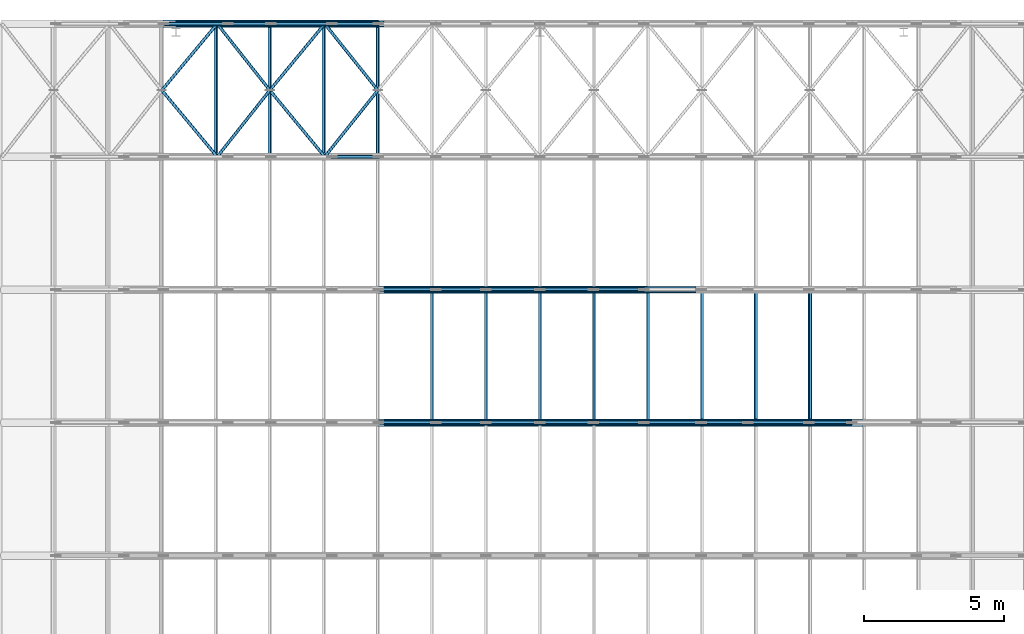
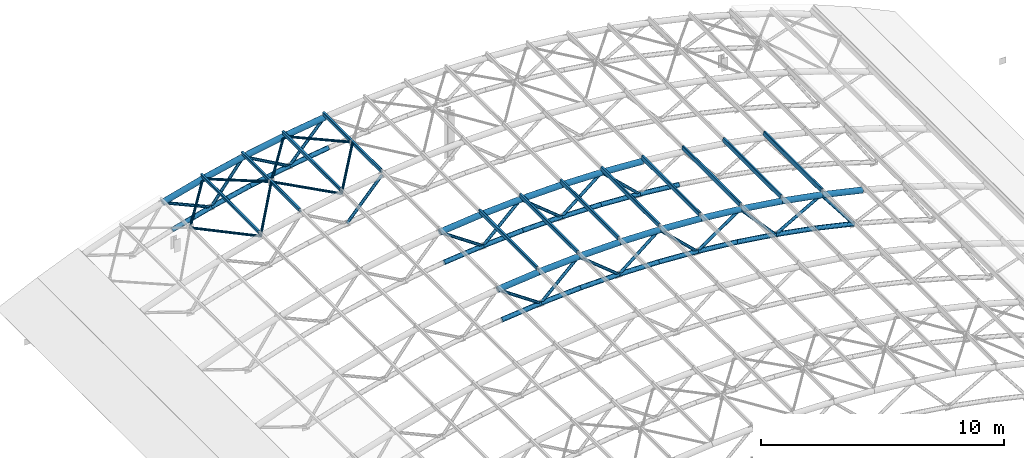
# One storey, part 5 of 22: 76 members.
"""IFC4 building model written with IfcOpenShell, lengths in metres."""

import ifcopenshell
import ifcopenshell.guid

model = None  # the IFC model being written
_history = None  # IfcOwnerHistory: only IFC2X3 demands one
_inside = {}  # id of a spatial element -> (the spatial element, [elements in it])
_under = {}  # id of a project, library or spatial element -> (it, [spatial elements below it])
_declared = {}  # id of a project -> (the project, [libraries it declares])
_typed = {}  # id of a type object -> (the type object, [elements of that type])
_made_of = {}  # id of a material, layer set ... -> (it, [elements and type objects made of it])


def new_model(schema):
    """Start an empty IFC model of exactly this schema.

    Asked for "IFC4X3", IfcOpenShell would pick the latest addendum, in which some entities
    have other attributes; the version numbers below select the first issue.
    IFC2X3 requires an IfcOwnerHistory on every rooted entity: one is made here for all.
    """
    global model, _history
    if schema == "IFC4X3":
        model = ifcopenshell.file(schema_version=(4, 3, 0, 0))
    else:
        model = ifcopenshell.file(schema=schema)
    _inside.clear()
    _under.clear()
    _declared.clear()
    _typed.clear()
    _made_of.clear()
    _history = None
    if model.schema == "IFC2X3":
        org = make("IfcOrganization", Name="unknown")
        user = make(
            "IfcPersonAndOrganization",
            ThePerson=make("IfcPerson", FamilyName="unknown"),
            TheOrganization=org,
        )
        app = make(
            "IfcApplication",
            ApplicationDeveloper=org,
            Version="unknown",
            ApplicationFullName="unknown",
            ApplicationIdentifier="unknown",
        )
        _history = make(
            "IfcOwnerHistory",
            OwningUser=user,
            OwningApplication=app,
            ChangeAction="ADDED",
            CreationDate=0,
        )
    return model


def make(cls, **values):
    """One entity of the class cls with the attributes given. An attribute that is None is left unset."""
    return model.create_entity(
        cls, **{name: value for name, value in values.items() if value is not None}
    )


def rooted(cls, **values):
    """An entity with a GlobalId (a new one), such as an element, a storey or a relation."""
    return make(cls, GlobalId=ifcopenshell.guid.new(), OwnerHistory=_history, **values)


def si_unit(unit_type, name, prefix=None):
    """IfcSIUnit, for example si_unit("LENGTHUNIT", "METRE", prefix="MILLI")."""
    return make("IfcSIUnit", UnitType=unit_type, Prefix=prefix, Name=name)


def assignment(units):
    """IfcUnitAssignment: the units of a project."""
    return None if units is None else make("IfcUnitAssignment", Units=units)


def point(xyz):
    """IfcCartesianPoint."""
    return None if xyz is None else make("IfcCartesianPoint", Coordinates=xyz)


def direction(xyz):
    """IfcDirection."""
    return None if xyz is None else make("IfcDirection", DirectionRatios=xyz)


def frame(location, z_axis=None, x_axis=None):
    """IfcAxis2Placement3D, a coordinate frame: its origin and axes. An axis left out is left unset."""
    return make(
        "IfcAxis2Placement3D",
        Location=point(location),
        Axis=direction(z_axis),
        RefDirection=direction(x_axis),
    )


def frame_2d(location, x_axis=None):
    """IfcAxis2Placement2D, a coordinate frame in the plane: its origin and x axis."""
    return make(
        "IfcAxis2Placement2D", Location=point(location), RefDirection=direction(x_axis)
    )


def origin():
    """The frame at (0, 0, 0) with its axes left unset."""
    return frame((0.0, 0.0, 0.0))


def origin_2d():
    """The frame at (0, 0) in the plane with its x axis left unset."""
    return frame_2d((0.0, 0.0))


def place(relative_to, where):
    """IfcLocalPlacement: puts the frame where relative to a parent placement (None: the world)."""
    return make(
        "IfcLocalPlacement", PlacementRelTo=relative_to, RelativePlacement=where
    )


def context(
    kind, dimensions, precision=None, world=None, true_north=None, identifier=None
):
    """IfcGeometricRepresentationContext, for example the 3D "Model" context."""
    return make(
        "IfcGeometricRepresentationContext",
        ContextIdentifier=identifier,
        ContextType=kind,
        CoordinateSpaceDimension=dimensions,
        Precision=precision,
        WorldCoordinateSystem=world,
        TrueNorth=true_north,
    )


def subcontext(parent, identifier, kind, view, scale=None):
    """IfcGeometricRepresentationSubContext, for example "Body" below "Model"."""
    return make(
        "IfcGeometricRepresentationSubContext",
        ContextIdentifier=identifier,
        ContextType=kind,
        ParentContext=parent,
        TargetScale=scale,
        TargetView=view,
    )


def project(units=None, contexts=None):
    """IfcProject with its units and contexts."""
    return rooted(
        "IfcProject",
        Name="project",
        RepresentationContexts=contexts,
        UnitsInContext=assignment(units),
    )


def spatial(cls, under=None, at=None, **own):
    """A site, building, storey or space (cls), placed at a placement, below another one or the project."""
    s = rooted(cls, ObjectPlacement=at, **own)
    if under is not None:
        _under.setdefault(under.id(), (under, []))[1].append(s)
    return s


def profile(cls, at=None, kind="AREA", **sizes):
    """A parametric profile (cls). Its sizes go by their IFC names, for example OverallWidth=200.0."""
    return make(cls, ProfileType=kind, Position=at, **sizes)


def hollow_rectangle(**sizes):
    """IfcRectangleHollowProfileDef."""
    return profile("IfcRectangleHollowProfileDef", **sizes)


def hollow_circle(**sizes):
    """IfcCircleHollowProfileDef."""
    return profile("IfcCircleHollowProfileDef", **sizes)


def extrude(swept, where, along, depth):
    """IfcExtrudedAreaSolid: the profile swept, set in the frame where, extruded along a direction by depth."""
    return make(
        "IfcExtrudedAreaSolid",
        SweptArea=swept,
        Position=where,
        ExtrudedDirection=direction(along),
        Depth=depth,
    )


def shape(context_of_items, identifier, shape_type, items):
    """IfcShapeRepresentation: the items that make up one representation, for example the "Body"."""
    return make(
        "IfcShapeRepresentation",
        ContextOfItems=context_of_items,
        RepresentationIdentifier=identifier,
        RepresentationType=shape_type,
        Items=items,
    )


def material(Name=None, Category=None):
    """IfcMaterial."""
    return make("IfcMaterial", Name=Name, Category=Category)


def material_profile(
    of_material, cross_section, Name=None, Category=None, Priority=None
):
    """IfcMaterialProfile: a cross section and its material."""
    return make(
        "IfcMaterialProfile",
        Name=Name,
        Material=of_material,
        Profile=cross_section,
        Priority=Priority,
        Category=Category,
    )


def profile_set(profiles, Name=None, composite=None):
    """IfcMaterialProfileSet."""
    return make(
        "IfcMaterialProfileSet",
        Name=Name,
        MaterialProfiles=profiles,
        CompositeProfile=composite,
    )


def made_of(thing, what):
    """Note that an element or type object is made of a material, layer set ...; save() writes the relation."""
    if what is not None:
        _made_of.setdefault(what.id(), (what, []))[1].append(thing)
    return thing


def type_object(cls, material=None, **own):
    """A type object (cls), such as IfcWallType, which elements share."""
    return made_of(rooted(cls, **own), material)


def element(
    cls,
    number,
    at=None,
    inside=None,
    cuts=None,
    type_object=None,
    material=None,
    context=None,
    identifier="Body",
    shape_type=None,
    held_by="IfcProductDefinitionShape",
    body=None,
    shapes=None,
    **own,
):
    """One element of the class cls, such as IfcWall. Its Tag is "e" and its number.

    at: its placement. inside: the storey or other place that contains it. cuts: it is an
    opening in that element (IfcRelVoidsElement). A single representation is given by context,
    identifier, shape_type and body (its items); several are given by shapes. held_by: the class
    of the entity that holds the representations. save() writes the other relations.
    """
    e = rooted(cls, Tag="e%d" % number, ObjectPlacement=at, **own)
    if body is not None:
        shapes = [shape(context, identifier, shape_type, body)]
    if shapes is not None:
        e.Representation = make(held_by, Representations=shapes)
    if inside is not None:
        _inside.setdefault(inside.id(), (inside, []))[1].append(e)
    if cuts is not None:
        rooted(
            "IfcRelVoidsElement", RelatingBuildingElement=cuts, RelatedOpeningElement=e
        )
    if type_object is not None:
        _typed.setdefault(type_object.id(), (type_object, []))[1].append(e)
    return made_of(e, material)


def aggregate(whole, parts):
    """IfcRelAggregates: a whole, such as a stair, and the parts it consists of."""
    return rooted("IfcRelAggregates", RelatingObject=whole, RelatedObjects=parts)


def save(model, path):
    """Write the relations noted so far, then the file.

    IfcRelAggregates (storeys below a building ...), IfcRelContainedInSpatialStructure (elements
    in a storey), IfcRelDefinesByType, IfcRelAssociatesMaterial and IfcRelDeclares: one each for
    every whole, place, type object, material and project.
    """
    for whole, parts in _under.values():
        aggregate(whole, parts)
    for where, things in _inside.values():
        rooted(
            "IfcRelContainedInSpatialStructure",
            RelatedElements=things,
            RelatingStructure=where,
        )
    for kind, things in _typed.values():
        rooted("IfcRelDefinesByType", RelatedObjects=things, RelatingType=kind)
    for what, things in _made_of.values():
        rooted("IfcRelAssociatesMaterial", RelatedObjects=things, RelatingMaterial=what)
    for by, libraries in _declared.values():
        rooted("IfcRelDeclares", RelatingContext=by, RelatedDefinitions=libraries)
    model.write(path)


model = new_model("IFC4")

# Units and contexts
model_context = context("Model", 3, precision=1e-05, world=origin(), true_north=direction((0.0, 1.0)))
body_context = subcontext(model_context, "Body", "Model", "MODEL_VIEW")
ifc_project = project(units=[si_unit("LENGTHUNIT", "METRE"), si_unit("AREAUNIT", "SQUARE_METRE"), si_unit("VOLUMEUNIT", "CUBIC_METRE"), si_unit("PLANEANGLEUNIT", "RADIAN"), si_unit("MASSUNIT", "GRAM", prefix="KILO")], contexts=[model_context])

# Site, building, storey
site_placement = place(None, origin())
site = spatial("IfcSite", under=ifc_project, at=site_placement, CompositionType="ELEMENT")
building_placement = place(site_placement, origin())
building = spatial("IfcBuilding", under=site, at=building_placement, Name="Elbe Cascade School", CompositionType="ELEMENT")
storey_placement = place(building_placement, frame((0.0, 0.0, 18.89990234375)))
storey = spatial("IfcBuildingStorey", under=building, at=storey_placement, Name="R05", CompositionType="ELEMENT", Elevation=18.89990234375)

# Members
ifc_material_1 = material(Name="Steel S355J2H", Category="steel")
ifc_material_profile_1 = material_profile(ifc_material_1, hollow_circle(Radius=0.109619140625, WallThickness=0.012451171875, at=origin_2d()), Name="CHS 219.1x12.5")
ifc_profile_set_1 = profile_set([ifc_material_profile_1], Name="Steel S355J2H")
member_type_1 = type_object("IfcMemberType", Name="Hall rib bottom chord CHS 219.1x12.5", PredefinedType="CHORD", material=ifc_profile_set_1)
member_1_placement = place(storey_placement, frame((28.428466796875, 55.25, 2.355224609375), z_axis=(0.994942207611, 0.0, 0.100449009523), x_axis=(0.0, 1.0, 0.0)))
element("IfcMember", 1, at=member_1_placement, inside=storey, type_object=member_type_1, Name="Hall rib bottom chord CHS 219.1x12.5 M3", PredefinedType="CHORD", context=body_context, shape_type="SweptSolid", body=[
    extrude(hollow_circle(Radius=0.109619140625, WallThickness=0.012451171875, at=origin_2d()), origin(), (0.0, 0.0, 1.0), 1.86669921875),
])
member_2_placement = place(storey_placement, frame((30.28564453125, 55.25, 2.542724609375), z_axis=(0.998184548597, 0.0, 0.060229618484), x_axis=(0.0, 1.0, 0.0)))
element("IfcMember", 2, at=member_2_placement, inside=storey, type_object=member_type_1, Name="Hall rib bottom chord CHS 219.1x12.5 M3", PredefinedType="CHORD", context=body_context, shape_type="SweptSolid", body=[
    extrude(hollow_circle(Radius=0.109619140625, WallThickness=0.012451171875, at=origin_2d()), origin(), (0.0, 0.0, 1.0), 1.860595703125),
])
for number, where, z_axis, x_axis, name in (
    (3, (32.142822265625, 55.25, 2.65478515625), (0.999797793882, 0.0, 0.020108986784), (0.0, 1.0, 0.0), "Hall rib bottom chord CHS 219.1x12.5 M3"),
    (4, (34.0, 55.25, 2.692138671875), (0.999797793882, 0.0, -0.020108986784), (0.0, 1.0, 0.0), "Hall rib bottom chord CHS 219.1x12.5 M3"),
):
    element("IfcMember", number, at=place(storey_placement, frame(where, z_axis=z_axis, x_axis=x_axis)), inside=storey, type_object=member_type_1, Name=name, PredefinedType="CHORD", context=body_context, shape_type="SweptSolid", body=[
        extrude(hollow_circle(Radius=0.109619140625, WallThickness=0.012451171875, at=origin_2d()), origin(), (0.0, 0.0, 1.0), 1.857666015625),
    ])
member_3_placement = place(storey_placement, frame((35.857177734375, 55.25, 2.65478515625), z_axis=(0.998184548597, 0.0, -0.060229618484), x_axis=(0.0, 1.0, 0.0)))
element("IfcMember", 5, at=member_3_placement, inside=storey, type_object=member_type_1, Name="Hall rib bottom chord CHS 219.1x12.5 M3", PredefinedType="CHORD", context=body_context, shape_type="SweptSolid", body=[
    extrude(hollow_circle(Radius=0.109619140625, WallThickness=0.012451171875, at=origin_2d()), origin(), (0.0, 0.0, 1.0), 1.860595703125),
])
member_4_placement = place(storey_placement, frame((37.71435546875, 55.25, 2.542724609375), z_axis=(0.994942207611, 0.0, -0.100449009523), x_axis=(0.0, 1.0, 0.0)))
element("IfcMember", 6, at=member_4_placement, inside=storey, type_object=member_type_1, Name="Hall rib bottom chord CHS 219.1x12.5 M3", PredefinedType="CHORD", context=body_context, shape_type="SweptSolid", body=[
    extrude(hollow_circle(Radius=0.109619140625, WallThickness=0.012451171875, at=origin_2d()), origin(), (0.0, 0.0, 1.0), 1.86669921875),
])
member_5_placement = place(storey_placement, frame((39.571533203125, 55.25, 2.355224609375), z_axis=(0.990068894629, 0.0, -0.140583014225), x_axis=(0.0, 1.0, 0.0)))
element("IfcMember", 7, at=member_5_placement, inside=storey, type_object=member_type_1, Name="Hall rib bottom chord CHS 219.1x12.5 M3", PredefinedType="CHORD", context=body_context, shape_type="SweptSolid", body=[
    extrude(hollow_circle(Radius=0.109619140625, WallThickness=0.012451171875, at=origin_2d()), origin(), (0.0, 0.0, 1.0), 1.87548828125),
])
member_6_placement = place(storey_placement, frame((41.428466796875, 55.25, 2.091552734375), z_axis=(0.9835518543, 0.0, -0.180625994539), x_axis=(0.0, 1.0, 0.0)))
element("IfcMember", 8, at=member_6_placement, inside=storey, type_object=member_type_1, Name="Hall rib bottom chord CHS 219.1x12.5 M3", PredefinedType="CHORD", context=body_context, shape_type="SweptSolid", body=[
    extrude(hollow_circle(Radius=0.109619140625, WallThickness=0.012451171875, at=origin_2d()), origin(), (0.0, 0.0, 1.0), 1.88818359375),
])
member_7_placement = place(storey_placement, frame((43.28564453125, 55.25, 1.75048828125), z_axis=(0.975295060536, 0.0, -0.220906190259), x_axis=(0.0, 1.0, 0.0)))
element("IfcMember", 9, at=member_7_placement, inside=storey, type_object=member_type_1, Name="Hall rib bottom chord CHS 219.1x12.5 M3", PredefinedType="CHORD", context=body_context, shape_type="SweptSolid", body=[
    extrude(hollow_circle(Radius=0.109619140625, WallThickness=0.012451171875, at=origin_2d()), origin(), (0.0, 0.0, 1.0), 1.904296875),
])
member_8_placement = place(storey_placement, frame((28.428466796875, 60.0, 2.355224609375), z_axis=(0.994942207611, 0.0, 0.100449009523), x_axis=(0.0, 1.0, 0.0)))
element("IfcMember", 10, at=member_8_placement, inside=storey, type_object=member_type_1, Name="Hall rib bottom chord CHS 219.1x12.5 M3", PredefinedType="CHORD", context=body_context, shape_type="SweptSolid", body=[
    extrude(hollow_circle(Radius=0.109619140625, WallThickness=0.012451171875, at=origin_2d()), origin(), (0.0, 0.0, 1.0), 1.86669921875),
])
member_9_placement = place(storey_placement, frame((30.28564453125, 60.0, 2.542724609375), z_axis=(0.998184548597, 0.0, 0.060229618484), x_axis=(0.0, 1.0, 0.0)))
element("IfcMember", 11, at=member_9_placement, inside=storey, type_object=member_type_1, Name="Hall rib bottom chord CHS 219.1x12.5 M3", PredefinedType="CHORD", context=body_context, shape_type="SweptSolid", body=[
    extrude(hollow_circle(Radius=0.109619140625, WallThickness=0.012451171875, at=origin_2d()), origin(), (0.0, 0.0, 1.0), 1.860595703125),
])
for number, where, z_axis, x_axis, name in (
    (12, (32.142822265625, 60.0, 2.65478515625), (0.999797793882, 0.0, 0.020108986784), (0.0, 1.0, 0.0), "Hall rib bottom chord CHS 219.1x12.5 M3"),
    (13, (34.0, 60.0, 2.692138671875), (0.999797793882, 0.0, -0.020108986784), (0.0, 1.0, 0.0), "Hall rib bottom chord CHS 219.1x12.5 M3"),
):
    element("IfcMember", number, at=place(storey_placement, frame(where, z_axis=z_axis, x_axis=x_axis)), inside=storey, type_object=member_type_1, Name=name, PredefinedType="CHORD", context=body_context, shape_type="SweptSolid", body=[
        extrude(hollow_circle(Radius=0.109619140625, WallThickness=0.012451171875, at=origin_2d()), origin(), (0.0, 0.0, 1.0), 1.857666015625),
    ])
member_10_placement = place(storey_placement, frame((35.857177734375, 60.0, 2.65478515625), z_axis=(0.998184548597, 0.0, -0.060229618484), x_axis=(0.0, 1.0, 0.0)))
element("IfcMember", 14, at=member_10_placement, inside=storey, type_object=member_type_1, Name="Hall rib bottom chord CHS 219.1x12.5 M3", PredefinedType="CHORD", context=body_context, shape_type="SweptSolid", body=[
    extrude(hollow_circle(Radius=0.109619140625, WallThickness=0.012451171875, at=origin_2d()), origin(), (0.0, 0.0, 1.0), 1.860595703125),
])
member_11_placement = place(storey_placement, frame((37.71435546875, 60.0, 2.542724609375), z_axis=(0.994942207611, 0.0, -0.100449009523), x_axis=(0.0, 1.0, 0.0)))
element("IfcMember", 15, at=member_11_placement, inside=storey, type_object=member_type_1, Name="Hall rib bottom chord CHS 219.1x12.5 M3", PredefinedType="CHORD", context=body_context, shape_type="SweptSolid", body=[
    extrude(hollow_circle(Radius=0.109619140625, WallThickness=0.012451171875, at=origin_2d()), origin(), (0.0, 0.0, 1.0), 1.86669921875),
])
member_12_placement = place(storey_placement, frame((21.0, 69.5, 0.82763671875), z_axis=(0.965329694666, 0.0, 0.26103367713), x_axis=(0.0, 1.0, 0.0)))
element("IfcMember", 16, at=member_12_placement, inside=storey, type_object=member_type_1, Name="Hall rib bottom chord CHS 219.1x12.5 M3", PredefinedType="CHORD", context=body_context, shape_type="SweptSolid", body=[
    extrude(hollow_circle(Radius=0.109619140625, WallThickness=0.012451171875, at=origin_2d()), origin(), (0.0, 0.0, 1.0), 1.923828125),
])
member_13_placement = place(storey_placement, frame((22.857177734375, 69.5, 1.329833984375), z_axis=(0.975295060536, 0.0, 0.220906190259), x_axis=(0.0, 1.0, 0.0)))
element("IfcMember", 17, at=member_13_placement, inside=storey, type_object=member_type_1, Name="Hall rib bottom chord CHS 219.1x12.5 M3", PredefinedType="CHORD", context=body_context, shape_type="SweptSolid", body=[
    extrude(hollow_circle(Radius=0.109619140625, WallThickness=0.012451171875, at=origin_2d()), origin(), (0.0, 0.0, 1.0), 1.904296875),
])
member_14_placement = place(storey_placement, frame((24.71435546875, 69.5, 1.75048828125), z_axis=(0.9835518543, 0.0, 0.180625994539), x_axis=(0.0, 1.0, 0.0)))
element("IfcMember", 18, at=member_14_placement, inside=storey, type_object=member_type_1, Name="Hall rib bottom chord CHS 219.1x12.5 M3", PredefinedType="CHORD", context=body_context, shape_type="SweptSolid", body=[
    extrude(hollow_circle(Radius=0.109619140625, WallThickness=0.012451171875, at=origin_2d()), origin(), (0.0, 0.0, 1.0), 1.88818359375),
])
member_15_placement = place(storey_placement, frame((26.571533203125, 69.5, 2.091552734375), z_axis=(0.990068894629, 0.0, 0.140583014225), x_axis=(0.0, 1.0, 0.0)))
element("IfcMember", 19, at=member_15_placement, inside=storey, type_object=member_type_1, Name="Hall rib bottom chord CHS 219.1x12.5 M3", PredefinedType="CHORD", context=body_context, shape_type="SweptSolid", body=[
    extrude(hollow_circle(Radius=0.109619140625, WallThickness=0.012451171875, at=origin_2d()), origin(), (0.0, 0.0, 1.0), 1.87548828125),
])
ifc_material_2 = material(Name="Steel S355J2H", Category="steel")
ifc_material_profile_2 = material_profile(ifc_material_2, hollow_circle(Radius=0.136474609375, WallThickness=0.012451171875, at=origin_2d()), Name="CHS 273x12.5")
ifc_profile_set_2 = profile_set([ifc_material_profile_2], Name="Steel S355J2H")
member_type_2 = type_object("IfcMemberType", Name="Hall rib top chord CHS 273x12.5", PredefinedType="CHORD", material=ifc_profile_set_2)
member_16_placement = place(storey_placement, frame((28.23583984375, 55.25, 3.943603515625), z_axis=(0.994936550575, 0.0, 0.100505026392), x_axis=(0.0, 1.0, 0.0)))
element("IfcMember", 20, at=member_16_placement, inside=storey, type_object=member_type_2, Name="Hall rib top chord CHS 273x12.5 M2", PredefinedType="CHORD", context=body_context, shape_type="SweptSolid", body=[
    extrude(hollow_circle(Radius=0.136474609375, WallThickness=0.012451171875, at=origin_2d()), origin(), (0.0, 0.0, 1.0), 1.93115234375),
])
member_17_placement = place(storey_placement, frame((30.1572265625, 55.25, 4.1376953125), z_axis=(0.998183551067, 0.0, 0.060246148254), x_axis=(0.0, 1.0, 0.0)))
element("IfcMember", 21, at=member_17_placement, inside=storey, type_object=member_type_2, Name="Hall rib top chord CHS 273x12.5 M2", PredefinedType="CHORD", context=body_context, shape_type="SweptSolid", body=[
    extrude(hollow_circle(Radius=0.136474609375, WallThickness=0.012451171875, at=origin_2d()), origin(), (0.0, 0.0, 1.0), 1.9248046875),
])
for number, where, z_axis, x_axis, name in (
    (22, (32.07861328125, 55.25, 4.253662109375), (0.999798533216, 0.0, 0.020072194187), (0.0, 1.0, 0.0), "Hall rib top chord CHS 273x12.5 M2"),
    (23, (34.0, 55.25, 4.292236328125), (0.999798533216, 0.0, -0.020072194187), (0.0, 1.0, 0.0), "Hall rib top chord CHS 273x12.5 M2"),
):
    element("IfcMember", number, at=place(storey_placement, frame(where, z_axis=z_axis, x_axis=x_axis)), inside=storey, type_object=member_type_2, Name=name, PredefinedType="CHORD", context=body_context, shape_type="SweptSolid", body=[
        extrude(hollow_circle(Radius=0.136474609375, WallThickness=0.012451171875, at=origin_2d()), origin(), (0.0, 0.0, 1.0), 1.921875),
    ])
member_18_placement = place(storey_placement, frame((35.92138671875, 55.25, 4.253662109375), z_axis=(0.998183551067, 0.0, -0.060246148254), x_axis=(0.0, 1.0, 0.0)))
element("IfcMember", 24, at=member_18_placement, inside=storey, type_object=member_type_2, Name="Hall rib top chord CHS 273x12.5 M2", PredefinedType="CHORD", context=body_context, shape_type="SweptSolid", body=[
    extrude(hollow_circle(Radius=0.136474609375, WallThickness=0.012451171875, at=origin_2d()), origin(), (0.0, 0.0, 1.0), 1.9248046875),
])
member_19_placement = place(storey_placement, frame((37.8427734375, 55.25, 4.1376953125), z_axis=(0.994936550575, 0.0, -0.100505026392), x_axis=(0.0, 1.0, 0.0)))
element("IfcMember", 25, at=member_19_placement, inside=storey, type_object=member_type_2, Name="Hall rib top chord CHS 273x12.5 M2", PredefinedType="CHORD", context=body_context, shape_type="SweptSolid", body=[
    extrude(hollow_circle(Radius=0.136474609375, WallThickness=0.012451171875, at=origin_2d()), origin(), (0.0, 0.0, 1.0), 1.93115234375),
])
member_20_placement = place(storey_placement, frame((39.76416015625, 55.25, 3.943603515625), z_axis=(0.990077406218, 0.0, -0.140523057528), x_axis=(0.0, 1.0, 0.0)))
element("IfcMember", 26, at=member_20_placement, inside=storey, type_object=member_type_2, Name="Hall rib top chord CHS 273x12.5 M2", PredefinedType="CHORD", context=body_context, shape_type="SweptSolid", body=[
    extrude(hollow_circle(Radius=0.136474609375, WallThickness=0.012451171875, at=origin_2d()), origin(), (0.0, 0.0, 1.0), 1.940673828125),
])
member_21_placement = place(storey_placement, frame((41.685546875, 55.25, 3.6708984375), z_axis=(0.983536288489, 0.0, -0.180710733565), x_axis=(0.0, 1.0, 0.0)))
element("IfcMember", 27, at=member_21_placement, inside=storey, type_object=member_type_2, Name="Hall rib top chord CHS 273x12.5 M2", PredefinedType="CHORD", context=body_context, shape_type="SweptSolid", body=[
    extrude(hollow_circle(Radius=0.136474609375, WallThickness=0.012451171875, at=origin_2d()), origin(), (0.0, 0.0, 1.0), 1.95361328125),
])
member_22_placement = place(storey_placement, frame((43.60693359375, 55.25, 3.31787109375), z_axis=(0.975283578549, 0.0, -0.220956876817), x_axis=(0.0, 1.0, 0.0)))
element("IfcMember", 28, at=member_22_placement, inside=storey, type_object=member_type_2, Name="Hall rib top chord CHS 273x12.5 M2", PredefinedType="CHORD", context=body_context, shape_type="SweptSolid", body=[
    extrude(hollow_circle(Radius=0.136474609375, WallThickness=0.012451171875, at=origin_2d()), origin(), (0.0, 0.0, 1.0), 1.969970703125),
])
member_23_placement = place(storey_placement, frame((28.23583984375, 60.0, 3.943603515625), z_axis=(0.994936550575, 0.0, 0.100505026392), x_axis=(0.0, 1.0, 0.0)))
element("IfcMember", 29, at=member_23_placement, inside=storey, type_object=member_type_2, Name="Hall rib top chord CHS 273x12.5 M2", PredefinedType="CHORD", context=body_context, shape_type="SweptSolid", body=[
    extrude(hollow_circle(Radius=0.136474609375, WallThickness=0.012451171875, at=origin_2d()), origin(), (0.0, 0.0, 1.0), 1.93115234375),
])
member_24_placement = place(storey_placement, frame((30.1572265625, 60.0, 4.1376953125), z_axis=(0.998183551067, 0.0, 0.060246148254), x_axis=(0.0, 1.0, 0.0)))
element("IfcMember", 30, at=member_24_placement, inside=storey, type_object=member_type_2, Name="Hall rib top chord CHS 273x12.5 M2", PredefinedType="CHORD", context=body_context, shape_type="SweptSolid", body=[
    extrude(hollow_circle(Radius=0.136474609375, WallThickness=0.012451171875, at=origin_2d()), origin(), (0.0, 0.0, 1.0), 1.9248046875),
])
for number, where, z_axis, x_axis, name in (
    (31, (32.07861328125, 60.0, 4.253662109375), (0.999798533216, 0.0, 0.020072194187), (0.0, 1.0, 0.0), "Hall rib top chord CHS 273x12.5 M2"),
    (32, (34.0, 60.0, 4.292236328125), (0.999798533216, 0.0, -0.020072194187), (0.0, 1.0, 0.0), "Hall rib top chord CHS 273x12.5 M2"),
):
    element("IfcMember", number, at=place(storey_placement, frame(where, z_axis=z_axis, x_axis=x_axis)), inside=storey, type_object=member_type_2, Name=name, PredefinedType="CHORD", context=body_context, shape_type="SweptSolid", body=[
        extrude(hollow_circle(Radius=0.136474609375, WallThickness=0.012451171875, at=origin_2d()), origin(), (0.0, 0.0, 1.0), 1.921875),
    ])
member_25_placement = place(storey_placement, frame((35.92138671875, 60.0, 4.253662109375), z_axis=(0.998183551067, 0.0, -0.060246148254), x_axis=(0.0, 1.0, 0.0)))
element("IfcMember", 33, at=member_25_placement, inside=storey, type_object=member_type_2, Name="Hall rib top chord CHS 273x12.5 M2", PredefinedType="CHORD", context=body_context, shape_type="SweptSolid", body=[
    extrude(hollow_circle(Radius=0.136474609375, WallThickness=0.012451171875, at=origin_2d()), origin(), (0.0, 0.0, 1.0), 1.9248046875),
])
member_26_placement = place(storey_placement, frame((20.55029296875, 69.5, 2.363037109375), z_axis=(0.965333327016, 0.0, 0.26102024395), x_axis=(0.0, 1.0, 0.0)))
element("IfcMember", 34, at=member_26_placement, inside=storey, type_object=member_type_2, Name="Hall rib top chord CHS 273x12.5 M2", PredefinedType="CHORD", context=body_context, shape_type="SweptSolid", body=[
    extrude(hollow_circle(Radius=0.136474609375, WallThickness=0.012451171875, at=origin_2d()), origin(), (0.0, 0.0, 1.0), 1.990478515625),
])
member_27_placement = place(storey_placement, frame((22.4716796875, 69.5, 2.882568359375), z_axis=(0.975283578549, 0.0, 0.220956876817), x_axis=(0.0, 1.0, 0.0)))
element("IfcMember", 35, at=member_27_placement, inside=storey, type_object=member_type_2, Name="Hall rib top chord CHS 273x12.5 M2", PredefinedType="CHORD", context=body_context, shape_type="SweptSolid", body=[
    extrude(hollow_circle(Radius=0.136474609375, WallThickness=0.012451171875, at=origin_2d()), origin(), (0.0, 0.0, 1.0), 1.969970703125),
])
member_28_placement = place(storey_placement, frame((24.39306640625, 69.5, 3.31787109375), z_axis=(0.983536288489, 0.0, 0.180710733565), x_axis=(0.0, 1.0, 0.0)))
element("IfcMember", 36, at=member_28_placement, inside=storey, type_object=member_type_2, Name="Hall rib top chord CHS 273x12.5 M2", PredefinedType="CHORD", context=body_context, shape_type="SweptSolid", body=[
    extrude(hollow_circle(Radius=0.136474609375, WallThickness=0.012451171875, at=origin_2d()), origin(), (0.0, 0.0, 1.0), 1.95361328125),
])
member_29_placement = place(storey_placement, frame((26.314453125, 69.5, 3.6708984375), z_axis=(0.990077406218, 0.0, 0.140523057528), x_axis=(0.0, 1.0, 0.0)))
element("IfcMember", 37, at=member_29_placement, inside=storey, type_object=member_type_2, Name="Hall rib top chord CHS 273x12.5 M2", PredefinedType="CHORD", context=body_context, shape_type="SweptSolid", body=[
    extrude(hollow_circle(Radius=0.136474609375, WallThickness=0.012451171875, at=origin_2d()), origin(), (0.0, 0.0, 1.0), 1.940673828125),
])
ifc_material_3 = material(Name="Steel S355J2H", Category="steel")
ifc_material_profile_3 = material_profile(ifc_material_3, hollow_circle(Radius=0.06982421875, WallThickness=0.008056640625, at=origin_2d()), Name="CHS 139.7x8")
ifc_profile_set_3 = profile_set([ifc_material_profile_3], Name="Steel S355J2H")
member_type_3 = type_object("IfcMemberType", Name="Hall rib web CHS 139.7x8", PredefinedType="BRACE", material=ifc_profile_set_3)
member_30_placement = place(storey_placement, frame((28.23583984375, 55.25, 3.943603515625), z_axis=(0.825611048999, 0.0, -0.564239661643), x_axis=(0.0, 1.0, 0.0)))
element("IfcMember", 38, at=member_30_placement, inside=storey, type_object=member_type_3, Name="Hall rib web CHS 139.7x8 M4", PredefinedType="BRACE", context=body_context, shape_type="SweptSolid", body=[
    extrude(hollow_circle(Radius=0.06982421875, WallThickness=0.008056640625, at=origin_2d()), origin(), (0.0, 0.0, 1.0), 2.482666015625),
])
member_31_placement = place(storey_placement, frame((30.28564453125, 55.25, 2.542724609375), z_axis=(0.723462885485, 0.0, 0.690363276345), x_axis=(0.0, 1.0, 0.0)))
element("IfcMember", 39, at=member_31_placement, inside=storey, type_object=member_type_3, Name="Hall rib web CHS 139.7x8 M4", PredefinedType="BRACE", context=body_context, shape_type="SweptSolid", body=[
    extrude(hollow_circle(Radius=0.06982421875, WallThickness=0.008056640625, at=origin_2d()), origin(), (0.0, 0.0, 1.0), 2.478271484375),
])
for number, where, z_axis, x_axis, name in (
    (40, (32.07861328125, 55.25, 4.253662109375), (0.776035572701, 0.0, -0.630689138881), (0.0, 1.0, 0.0), "Hall rib web CHS 139.7x8 M4"),
    (41, (34.0, 55.25, 2.692138671875), (0.776035572701, 0.0, 0.630689138881), (0.0, 1.0, 0.0), "Hall rib web CHS 139.7x8 M4"),
):
    element("IfcMember", number, at=place(storey_placement, frame(where, z_axis=z_axis, x_axis=x_axis)), inside=storey, type_object=member_type_3, Name=name, PredefinedType="BRACE", context=body_context, shape_type="SweptSolid", body=[
        extrude(hollow_circle(Radius=0.06982421875, WallThickness=0.008056640625, at=origin_2d()), origin(), (0.0, 0.0, 1.0), 2.475830078125),
    ])
member_32_placement = place(storey_placement, frame((35.92138671875, 55.25, 4.253662109375), z_axis=(0.723462885485, 0.0, -0.690363276345), x_axis=(0.0, 1.0, 0.0)))
element("IfcMember", 42, at=member_32_placement, inside=storey, type_object=member_type_3, Name="Hall rib web CHS 139.7x8 M4", PredefinedType="BRACE", context=body_context, shape_type="SweptSolid", body=[
    extrude(hollow_circle(Radius=0.06982421875, WallThickness=0.008056640625, at=origin_2d()), origin(), (0.0, 0.0, 1.0), 2.478271484375),
])
member_33_placement = place(storey_placement, frame((37.71435546875, 55.25, 2.542724609375), z_axis=(0.825611048999, 0.0, 0.564239661643), x_axis=(0.0, 1.0, 0.0)))
element("IfcMember", 43, at=member_33_placement, inside=storey, type_object=member_type_3, Name="Hall rib web CHS 139.7x8 M4", PredefinedType="BRACE", context=body_context, shape_type="SweptSolid", body=[
    extrude(hollow_circle(Radius=0.06982421875, WallThickness=0.008056640625, at=origin_2d()), origin(), (0.0, 0.0, 1.0), 2.482666015625),
])
member_34_placement = place(storey_placement, frame((39.76416015625, 55.25, 3.943603515625), z_axis=(0.668401163046, 0.0, -0.743800971523), x_axis=(0.0, 1.0, 0.0)))
element("IfcMember", 44, at=member_34_placement, inside=storey, type_object=member_type_3, Name="Hall rib web CHS 139.7x8 M4", PredefinedType="BRACE", context=body_context, shape_type="SweptSolid", body=[
    extrude(hollow_circle(Radius=0.06982421875, WallThickness=0.008056640625, at=origin_2d()), origin(), (0.0, 0.0, 1.0), 2.489990234375),
])
member_35_placement = place(storey_placement, frame((41.428466796875, 55.25, 2.091552734375), z_axis=(0.871416395959, 0.0, 0.49054404986), x_axis=(0.0, 1.0, 0.0)))
element("IfcMember", 45, at=member_35_placement, inside=storey, type_object=member_type_3, Name="Hall rib web CHS 139.7x8 M4", PredefinedType="BRACE", context=body_context, shape_type="SweptSolid", body=[
    extrude(hollow_circle(Radius=0.06982421875, WallThickness=0.008056640625, at=origin_2d()), origin(), (0.0, 0.0, 1.0), 2.5),
])
member_36_placement = place(storey_placement, frame((43.60693359375, 55.25, 3.31787109375), z_axis=(0.611367288824, 0.0, -0.791346977094), x_axis=(0.0, 1.0, 0.0)))
element("IfcMember", 46, at=member_36_placement, inside=storey, type_object=member_type_3, Name="Hall rib web CHS 139.7x8 M4", PredefinedType="BRACE", context=body_context, shape_type="SweptSolid", body=[
    extrude(hollow_circle(Radius=0.06982421875, WallThickness=0.008056640625, at=origin_2d()), origin(), (0.0, 0.0, 1.0), 2.51220703125),
])
member_37_placement = place(storey_placement, frame((28.23583984375, 60.0, 3.943603515625), z_axis=(0.825611048999, 0.0, -0.564239661643), x_axis=(0.0, 1.0, 0.0)))
element("IfcMember", 47, at=member_37_placement, inside=storey, type_object=member_type_3, Name="Hall rib web CHS 139.7x8 M4", PredefinedType="BRACE", context=body_context, shape_type="SweptSolid", body=[
    extrude(hollow_circle(Radius=0.06982421875, WallThickness=0.008056640625, at=origin_2d()), origin(), (0.0, 0.0, 1.0), 2.482666015625),
])
member_38_placement = place(storey_placement, frame((30.28564453125, 60.0, 2.542724609375), z_axis=(0.723462885485, 0.0, 0.690363276345), x_axis=(0.0, 1.0, 0.0)))
element("IfcMember", 48, at=member_38_placement, inside=storey, type_object=member_type_3, Name="Hall rib web CHS 139.7x8 M4", PredefinedType="BRACE", context=body_context, shape_type="SweptSolid", body=[
    extrude(hollow_circle(Radius=0.06982421875, WallThickness=0.008056640625, at=origin_2d()), origin(), (0.0, 0.0, 1.0), 2.478271484375),
])
for number, where, z_axis, x_axis, name in (
    (49, (32.07861328125, 60.0, 4.253662109375), (0.776035572701, 0.0, -0.630689138881), (0.0, 1.0, 0.0), "Hall rib web CHS 139.7x8 M4"),
    (50, (34.0, 60.0, 2.692138671875), (0.776035572701, 0.0, 0.630689138881), (0.0, 1.0, 0.0), "Hall rib web CHS 139.7x8 M4"),
):
    element("IfcMember", number, at=place(storey_placement, frame(where, z_axis=z_axis, x_axis=x_axis)), inside=storey, type_object=member_type_3, Name=name, PredefinedType="BRACE", context=body_context, shape_type="SweptSolid", body=[
        extrude(hollow_circle(Radius=0.06982421875, WallThickness=0.008056640625, at=origin_2d()), origin(), (0.0, 0.0, 1.0), 2.475830078125),
    ])
member_39_placement = place(storey_placement, frame((35.92138671875, 60.0, 4.253662109375), z_axis=(0.723462885485, 0.0, -0.690363276345), x_axis=(0.0, 1.0, 0.0)))
element("IfcMember", 51, at=member_39_placement, inside=storey, type_object=member_type_3, Name="Hall rib web CHS 139.7x8 M4", PredefinedType="BRACE", context=body_context, shape_type="SweptSolid", body=[
    extrude(hollow_circle(Radius=0.06982421875, WallThickness=0.008056640625, at=origin_2d()), origin(), (0.0, 0.0, 1.0), 2.478271484375),
])
member_40_placement = place(storey_placement, frame((26.571533203125, 64.75, 2.091552734375), z_axis=(0.668401163046, 0.0, 0.743800971523), x_axis=(0.0, 1.0, 0.0)))
element("IfcMember", 52, at=member_40_placement, inside=storey, type_object=member_type_3, Name="Hall rib web CHS 139.7x8 M4", PredefinedType="BRACE", context=body_context, shape_type="SweptSolid", body=[
    extrude(hollow_circle(Radius=0.06982421875, WallThickness=0.008056640625, at=origin_2d()), origin(), (0.0, 0.0, 1.0), 2.489990234375),
])
member_41_placement = place(storey_placement, frame((20.55029296875, 69.5, 2.363037109375), z_axis=(0.91264478228, 0.0, -0.408753594942), x_axis=(0.0, 1.0, 0.0)))
element("IfcMember", 53, at=member_41_placement, inside=storey, type_object=member_type_3, Name="Hall rib web CHS 139.7x8 M4", PredefinedType="BRACE", context=body_context, shape_type="SweptSolid", body=[
    extrude(hollow_circle(Radius=0.06982421875, WallThickness=0.008056640625, at=origin_2d()), origin(), (0.0, 0.0, 1.0), 2.527587890625),
])
member_42_placement = place(storey_placement, frame((22.857177734375, 69.5, 1.329833984375), z_axis=(0.611367288824, 0.0, 0.791346977094), x_axis=(0.0, 1.0, 0.0)))
element("IfcMember", 54, at=member_42_placement, inside=storey, type_object=member_type_3, Name="Hall rib web CHS 139.7x8 M4", PredefinedType="BRACE", context=body_context, shape_type="SweptSolid", body=[
    extrude(hollow_circle(Radius=0.06982421875, WallThickness=0.008056640625, at=origin_2d()), origin(), (0.0, 0.0, 1.0), 2.51220703125),
])
member_43_placement = place(storey_placement, frame((24.39306640625, 69.5, 3.31787109375), z_axis=(0.871416395959, 0.0, -0.49054404986), x_axis=(0.0, 1.0, 0.0)))
element("IfcMember", 55, at=member_43_placement, inside=storey, type_object=member_type_3, Name="Hall rib web CHS 139.7x8 M4", PredefinedType="BRACE", context=body_context, shape_type="SweptSolid", body=[
    extrude(hollow_circle(Radius=0.06982421875, WallThickness=0.008056640625, at=origin_2d()), origin(), (0.0, 0.0, 1.0), 2.5),
])
member_44_placement = place(storey_placement, frame((26.571533203125, 69.5, 2.091552734375), z_axis=(0.668401163046, 0.0, 0.743800971523), x_axis=(0.0, 1.0, 0.0)))
element("IfcMember", 56, at=member_44_placement, inside=storey, type_object=member_type_3, Name="Hall rib web CHS 139.7x8 M4", PredefinedType="BRACE", context=body_context, shape_type="SweptSolid", body=[
    extrude(hollow_circle(Radius=0.06982421875, WallThickness=0.008056640625, at=origin_2d()), origin(), (0.0, 0.0, 1.0), 2.489990234375),
])
ifc_material_4 = material(Name="Steel S355J2H", Category="steel")
ifc_material_profile_4 = material_profile(ifc_material_4, hollow_circle(Radius=0.05712890625, WallThickness=0.00634765625, at=origin_2d()), Name="CHS 114.3x6.3")
ifc_profile_set_4 = profile_set([ifc_material_profile_4], Name="Steel S355J2H")
member_type_4 = type_object("IfcMemberType", Name="Hall roof bracing CHS 114.3x6.3", PredefinedType="BRACE", material=ifc_profile_set_4)
for number, where, z_axis, x_axis, name in (
    (57, (20.4921875, 67.125, 2.561279296875), (0.636817309596, 0.764055104557, 0.103361072944), (-0.768169496893, 0.6402465338, 0.0), "Hall roof bracing CHS 114.3x6.3 M9"),
    (58, (20.4921875, 67.125, 2.561279296875), (0.636817309596, -0.764055104557, 0.103361072944), (0.768169496893, 0.6402465338, 0.0), "Hall roof bracing CHS 114.3x6.3 M9"),
):
    element("IfcMember", number, at=place(storey_placement, frame(where, z_axis=z_axis, x_axis=x_axis)), inside=storey, type_object=member_type_4, Name=name, PredefinedType="BRACE", context=body_context, shape_type="SweptSolid", body=[
        extrude(hollow_circle(Radius=0.05712890625, WallThickness=0.00634765625, at=origin_2d()), origin(), (0.0, 0.0, 1.0), 3.1083984375),
    ])
member_45_placement = place(storey_placement, frame((24.3515625, 67.125, 3.52001953125), z_axis=(-0.607333140787, -0.767290492672, -0.20594114683), x_axis=(0.784098122781, -0.620636877612, 0.0)))
element("IfcMember", 59, at=member_45_placement, inside=storey, type_object=member_type_4, Name="Hall roof bracing CHS 114.3x6.3 M9", PredefinedType="BRACE", context=body_context, shape_type="SweptSolid", body=[
    extrude(hollow_circle(Radius=0.05712890625, WallThickness=0.00634765625, at=origin_2d()), origin(), (0.0, 0.0, 1.0), 3.09521484375),
])
member_46_placement = place(storey_placement, frame((24.3515625, 67.125, 3.52001953125), z_axis=(0.636299197607, 0.769890372428, 0.048909565189), x_axis=(-0.770812872745, 0.637061625912, 0.0)))
element("IfcMember", 60, at=member_46_placement, inside=storey, type_object=member_type_4, Name="Hall roof bracing CHS 114.3x6.3 M9", PredefinedType="BRACE", context=body_context, shape_type="SweptSolid", body=[
    extrude(hollow_circle(Radius=0.05712890625, WallThickness=0.00634765625, at=origin_2d()), origin(), (0.0, 0.0, 1.0), 3.0849609375),
])
member_47_placement = place(storey_placement, frame((24.3515625, 67.125, 3.52001953125), z_axis=(-0.607333140787, 0.767290492672, -0.20594114683), x_axis=(-0.784098122781, -0.620636877612, 0.0)))
element("IfcMember", 61, at=member_47_placement, inside=storey, type_object=member_type_4, Name="Hall roof bracing CHS 114.3x6.3 M9", PredefinedType="BRACE", context=body_context, shape_type="SweptSolid", body=[
    extrude(hollow_circle(Radius=0.05712890625, WallThickness=0.00634765625, at=origin_2d()), origin(), (0.0, 0.0, 1.0), 3.09521484375),
])
member_48_placement = place(storey_placement, frame((24.3515625, 67.125, 3.52001953125), z_axis=(0.636299197607, -0.769890372428, 0.048909565189), x_axis=(0.770812872745, 0.637061625912, 0.0)))
element("IfcMember", 62, at=member_48_placement, inside=storey, type_object=member_type_4, Name="Hall roof bracing CHS 114.3x6.3 M9", PredefinedType="BRACE", context=body_context, shape_type="SweptSolid", body=[
    extrude(hollow_circle(Radius=0.05712890625, WallThickness=0.00634765625, at=origin_2d()), origin(), (0.0, 0.0, 1.0), 3.0849609375),
])
for number, where, z_axis, x_axis, name in (
    (63, (28.2109375, 67.125, 4.148681640625), (-0.616419306396, -0.77195249905, -0.155295131645), (0.781432747539, -0.623989471925, 0.0), "Hall roof bracing CHS 114.3x6.3 M9"),
    (64, (28.2109375, 67.125, 4.148681640625), (-0.616419306396, 0.77195249905, -0.155295131645), (-0.781432747539, -0.623989471925, 0.0), "Hall roof bracing CHS 114.3x6.3 M9"),
):
    element("IfcMember", number, at=place(storey_placement, frame(where, z_axis=z_axis, x_axis=x_axis)), inside=storey, type_object=member_type_4, Name=name, PredefinedType="BRACE", context=body_context, shape_type="SweptSolid", body=[
        extrude(hollow_circle(Radius=0.05712890625, WallThickness=0.00634765625, at=origin_2d()), origin(), (0.0, 0.0, 1.0), 3.07666015625),
    ])
ifc_material_5 = material(Name="Steel S355J2H", Category="steel")
ifc_material_profile_5 = material_profile(ifc_material_5, hollow_rectangle(XDim=0.10009765625, YDim=0.199951171875, WallThickness=0.008056640625, InnerFilletRadius=0.008056640625, OuterFilletRadius=0.011962890625, at=origin_2d()), Name="RHS 200x100x8")
ifc_profile_set_5 = profile_set([ifc_material_profile_5], Name="Steel S355J2H")
member_type_5 = type_object("IfcMemberType", Name="Hall roof purlin RHS 200x100x8", PredefinedType="PURLIN", material=ifc_profile_set_5)
for number, where, z_axis, x_axis, name in (
    (65, (22.421875, 64.75, 3.0830078125), (0.0, 1.0, 0.0), (-0.970543329116, 0.0, -0.240926640925), "Hall roof purlin RHS 200x100x8 M8"),
    (66, (24.3515625, 64.75, 3.52001953125), (0.0, 1.0, 0.0), (-0.979637955265, 0.0, -0.200772200777), "Hall roof purlin RHS 200x100x8 M8"),
    (67, (26.28125, 64.75, 3.874755859375), (0.0, 1.0, 0.0), (-0.987016684243, 0.0, -0.160617760615), "Hall roof purlin RHS 200x100x8 M8"),
    (68, (28.2109375, 64.75, 4.148681640625), (0.0, 1.0, 0.0), (-0.99271777884, 0.0, -0.120463320456), "Hall roof purlin RHS 200x100x8 M8"),
    (69, (30.140625, 55.25, 4.343505859375), (0.0, 1.0, 0.0), (-0.996770025505, 0.0, -0.080308880303), "Hall roof purlin RHS 200x100x8 M8"),
    (70, (32.0703125, 55.25, 4.4599609375), (0.0, 1.0, 0.0), (-0.999193485235, 0.0, -0.040154440155), "Hall roof purlin RHS 200x100x8 M8"),
    (71, (34.0, 55.25, 4.49853515625), (0.0, 1.0, 0.0), (-1.0, 0.0, 0.0), "Hall roof purlin RHS 200x100x8 M8"),
    (72, (35.9296875, 55.25, 4.4599609375), (0.0, 1.0, 0.0), (-0.999193485235, 0.0, 0.040154440155), "Hall roof purlin RHS 200x100x8 M8"),
    (73, (37.859375, 55.25, 4.343505859375), (0.0, 1.0, 0.0), (-0.996770025505, 0.0, 0.080308880303), "Hall roof purlin RHS 200x100x8 M8"),
    (74, (39.7890625, 55.25, 4.148681640625), (0.0, 1.0, 0.0), (-0.99271777884, 0.0, 0.120463320456), "Hall roof purlin RHS 200x100x8 M8"),
    (75, (41.71875, 55.25, 3.874755859375), (0.0, 1.0, 0.0), (-0.987016684243, 0.0, 0.160617760615), "Hall roof purlin RHS 200x100x8 M8"),
    (76, (43.6484375, 55.25, 3.52001953125), (0.0, 1.0, 0.0), (-0.979637955265, 0.0, 0.200772200777), "Hall roof purlin RHS 200x100x8 M8"),
):
    element("IfcMember", number, at=place(storey_placement, frame(where, z_axis=z_axis, x_axis=x_axis)), inside=storey, type_object=member_type_5, Name=name, PredefinedType="PURLIN", context=body_context, shape_type="SweptSolid", body=[
        extrude(hollow_rectangle(XDim=0.10009765625, YDim=0.199951171875, WallThickness=0.008056640625, InnerFilletRadius=0.008056640625, OuterFilletRadius=0.011962890625, at=origin_2d()), origin(), (0.0, 0.0, 1.0), 4.75),
    ])

save(model, "model.ifc")
